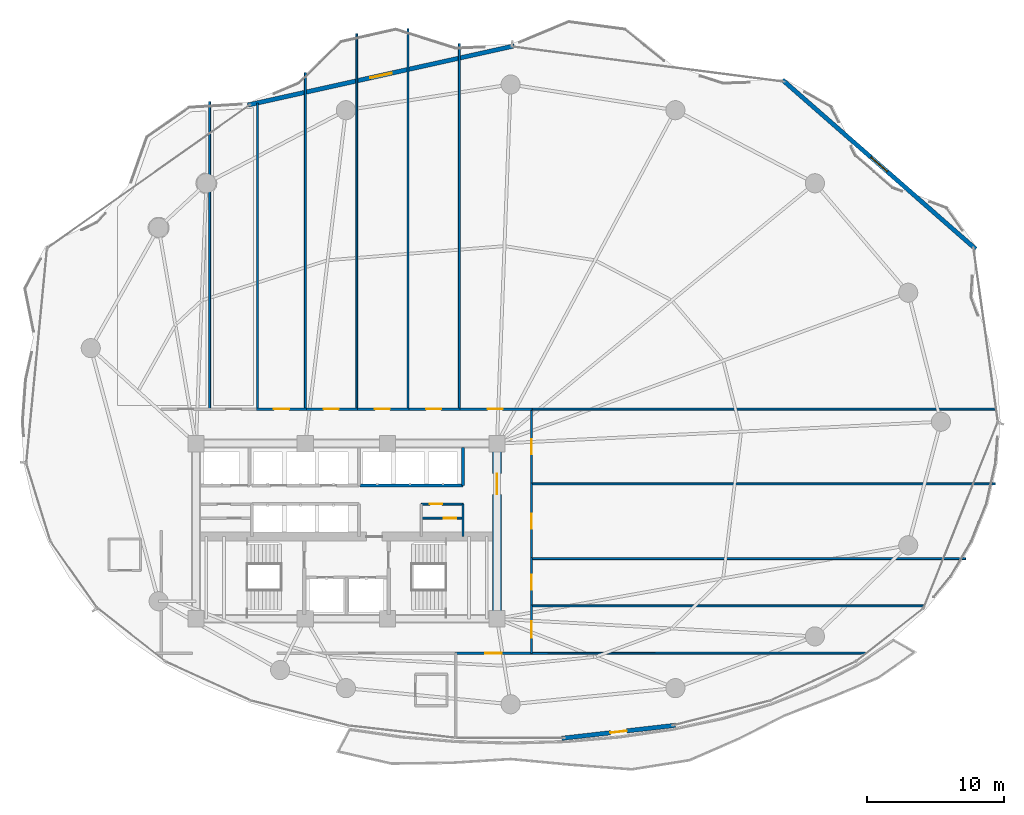
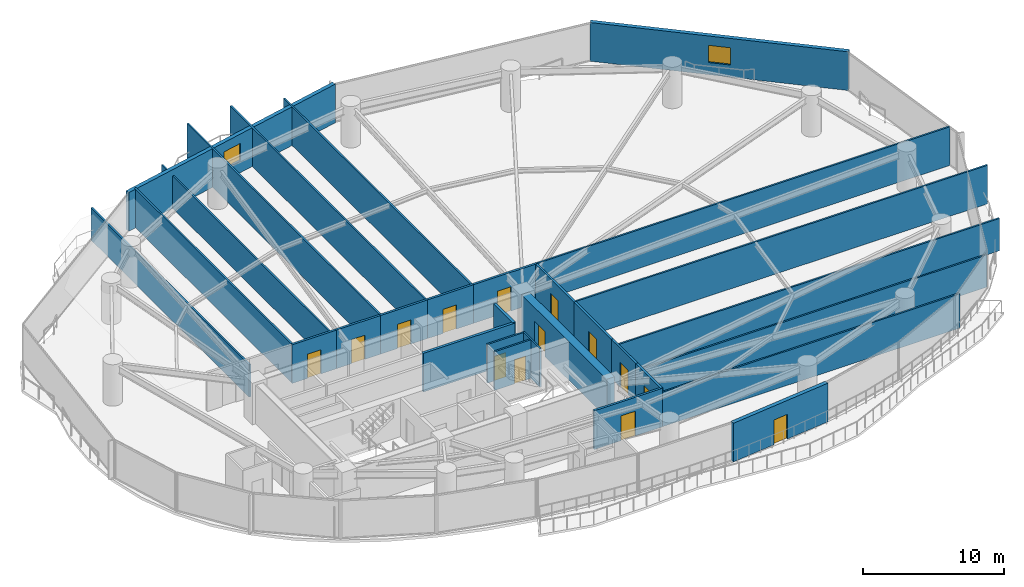
# One storey, part 26 of 31: 30 walls, 14 doors, 2 windows, 16 openings.
"""IFC4 building model written with IfcOpenShell, lengths in metres."""

from ifc_helpers import new_model, si_unit, direction, frame, frame_2d, origin, place, context, subcontext, project, spatial, rectangle, extrude, material, layer, layer_set, type_object, element, fill, save


model = new_model("IFC4")

# Units and contexts
model_context = context("Model", 3, precision=1e-05, world=origin(), true_north=direction((0.0, 1.0)))
body_context = subcontext(model_context, "Body", "Model", "MODEL_VIEW")
ifc_project = project(units=[si_unit("LENGTHUNIT", "METRE"), si_unit("AREAUNIT", "SQUARE_METRE"), si_unit("VOLUMEUNIT", "CUBIC_METRE"), si_unit("PLANEANGLEUNIT", "RADIAN"), si_unit("MASSUNIT", "GRAM", prefix="KILO")], contexts=[model_context])

# Site, building, storey
site_placement = place(None, origin())
site = spatial("IfcSite", under=ifc_project, at=site_placement, CompositionType="ELEMENT")
building_placement = place(site_placement, origin())
building = spatial("IfcBuilding", under=site, at=building_placement, Name="Kazevale Care Tower and Concert Hall", CompositionType="ELEMENT")
storey_placement = place(building_placement, frame((0.0, 0.0, 63.60009765625)))
storey = spatial("IfcBuildingStorey", under=building, at=storey_placement, Name="L16", CompositionType="ELEMENT", Elevation=63.60009765625)

# Wall
ifc_material_1 = material(Name="Acoustic Gypsum on Steel Stud", Category="steel")
ifc_layer_1 = layer(ifc_material_1, 0.139892578125)
ifc_layer_set_1 = layer_set([ifc_layer_1], Name="Acoustic Gypsum on Steel Stud")
wall_type_1 = type_object("IfcWallType", Name="Acoustic Care & Suite Partition 140", PredefinedType="PARTITIONING", material=ifc_layer_set_1)
wall_1_placement = place(storey_placement, frame((41.52001953125, 29.6201171875, 0.0), z_axis=(0.0, 0.0, 1.0), x_axis=(0.0, 1.0, 0.0)))
element("IfcWall", 1, at=wall_1_placement, inside=storey, type_object=wall_type_1, Name="wall:L16:kc_ee", PredefinedType="PARTITIONING", context=body_context, shape_type="SweptSolid", body=[
    extrude(rectangle(XDim=2.35986328125, YDim=0.139892578125, at=frame_2d((1.179931640625, 0.0))), origin(), (0.0, 0.0, 1.0), 3.35986328125),
])

# Wall, opening, door
wall_2_placement = place(storey_placement, frame((38.47998046875, 30.949951171875, 0.0), z_axis=(0.0, 0.0, 1.0), x_axis=(1.0, 0.0, 0.0)))
wall_2 = element("IfcWall", 2, at=wall_2_placement, inside=storey, type_object=wall_type_1, Name="wall:L16:kc_em", PredefinedType="PARTITIONING", context=body_context, shape_type="SweptSolid", body=[
    extrude(rectangle(XDim=3.0400390625, YDim=0.139892578125, at=frame_2d((1.52001953125, 0.0))), origin(), (0.0, 0.0, 1.0), 3.35986328125),
])
opening_1_placement = place(wall_2_placement, frame((1.616943359375, 0.0, 0.0)))
opening_1 = element("IfcOpeningElement", 3, at=opening_1_placement, cuts=wall_2, Name="Opening ID-900", PredefinedType="OPENING", context=body_context, shape_type="SweptSolid", body=[
    extrude(rectangle(XDim=0.919921875, YDim=2.10009765625, at=frame_2d((0.4599609375, 1.050048828125))), frame((0.0, 0.079833984375, 0.0), z_axis=(0.0, -1.0, 0.0), x_axis=(1.0, 0.0, 0.0)), (0.0, 0.0, 1.0), 0.159912109375),
])
ifc_material_2 = material(Name="Oak Timber Fire Leaf", Category="wood")
door_type_1 = type_object("IfcDoorType", Name="Bathroom & Service Door 920x2100", OperationType="NOTDEFINED", PredefinedType="DOOR", material=ifc_material_2)
door_1_placement = place(opening_1_placement, origin())
door_1 = element("IfcDoor", 4, at=door_1_placement, inside=storey, type_object=door_type_1, Name="door:L16:d_kceb", OperationType="SINGLE_SWING_RIGHT", OverallHeight=2.10009765625, OverallWidth=0.919921875, PredefinedType="DOOR", context=body_context, shape_type="SweptSolid", body=[
    extrude(rectangle(XDim=0.919921875, YDim=2.10009765625, at=frame_2d((0.4599609375, 1.050048828125))), frame((0.0, 0.02490234375, 0.0), z_axis=(0.0, -1.0, 0.0), x_axis=(1.0, 0.0, 0.0)), (0.0, 0.0, 1.0), 0.050048828125),
])
fill(opening_1, door_1)

wall_3_placement = place(storey_placement, frame((38.47998046875, 31.97998046875, 0.0), z_axis=(0.0, 0.0, 1.0), x_axis=(1.0, 0.0, 0.0)))
wall_3 = element("IfcWall", 5, at=wall_3_placement, inside=storey, type_object=wall_type_1, Name="wall:L16:kc_en", PredefinedType="PARTITIONING", context=body_context, shape_type="SweptSolid", body=[
    extrude(rectangle(XDim=3.0400390625, YDim=0.139892578125, at=frame_2d((1.52001953125, 0.0))), origin(), (0.0, 0.0, 1.0), 3.35986328125),
])
opening_2_placement = place(wall_3_placement, frame((0.614013671875, 0.0, 0.0)))
opening_2 = element("IfcOpeningElement", 6, at=opening_2_placement, cuts=wall_3, Name="Opening ID-900", PredefinedType="OPENING", context=body_context, shape_type="SweptSolid", body=[
    extrude(rectangle(XDim=0.919921875, YDim=2.10009765625, at=frame_2d((0.4599609375, 1.050048828125))), frame((0.0, 0.079833984375, 0.0), z_axis=(0.0, -1.0, 0.0), x_axis=(1.0, 0.0, 0.0)), (0.0, 0.0, 1.0), 0.159912109375),
])
door_2_placement = place(opening_2_placement, origin())
door_2 = element("IfcDoor", 7, at=door_2_placement, inside=storey, type_object=door_type_1, Name="door:L16:d_kcet", OperationType="SINGLE_SWING_LEFT", OverallHeight=2.10009765625, OverallWidth=0.919921875, PredefinedType="DOOR", context=body_context, shape_type="SweptSolid", body=[
    extrude(rectangle(XDim=0.919921875, YDim=2.10009765625, at=frame_2d((0.4599609375, 1.050048828125))), frame((0.0, 0.02490234375, 0.0), z_axis=(0.0, -1.0, 0.0), x_axis=(1.0, 0.0, 0.0)), (0.0, 0.0, 1.0), 0.050048828125),
])
fill(opening_2, door_2)

# Walls
wall_4_placement = place(storey_placement, frame((23.0, 61.39404296875, 0.0), z_axis=(0.0, 0.0, 1.0), x_axis=(0.0, -1.0, 0.0)))
element("IfcWall", 8, at=wall_4_placement, inside=storey, type_object=wall_type_1, Name="wall:L16:auto_016", PredefinedType="PARTITIONING", context=body_context, shape_type="SweptSolid", body=[
    extrude(rectangle(XDim=22.4990234375, YDim=0.139892578125, at=frame_2d((11.24951171875, 0.0))), origin(), (0.0, 0.0, 1.0), 2.805908203125),
])
wall_5_placement = place(storey_placement, frame((26.5, 61.2939453125, 0.0), z_axis=(0.0, 0.0, 1.0), x_axis=(0.0, -1.0, 0.0)))
element("IfcWall", 9, at=wall_5_placement, inside=storey, type_object=wall_type_1, Name="wall:L16:auto_017", PredefinedType="PARTITIONING", context=body_context, shape_type="SweptSolid", body=[
    extrude(rectangle(XDim=22.39892578125, YDim=0.139892578125, at=frame_2d((11.199462890625, 0.0))), origin(), (0.0, 0.0, 1.0), 3.35986328125),
])
wall_6_placement = place(storey_placement, frame((30.0, 63.52001953125, 0.0), z_axis=(0.0, 0.0, 1.0), x_axis=(0.0, -1.0, 0.0)))
element("IfcWall", 10, at=wall_6_placement, inside=storey, type_object=wall_type_1, Name="wall:L16:auto_018", PredefinedType="PARTITIONING", context=body_context, shape_type="SweptSolid", body=[
    extrude(rectangle(XDim=24.625, YDim=0.139892578125, at=frame_2d((12.3125, 0.0))), origin(), (0.0, 0.0, 1.0), 2.805908203125),
])
wall_7_placement = place(storey_placement, frame((33.75, 66.362060546875, 0.0), z_axis=(0.0, 0.0, 1.0), x_axis=(0.0, -1.0, 0.0)))
element("IfcWall", 11, at=wall_7_placement, inside=storey, type_object=wall_type_1, Name="wall:L16:auto_019", PredefinedType="PARTITIONING", context=body_context, shape_type="SweptSolid", body=[
    extrude(rectangle(XDim=27.467041015625, YDim=0.139892578125, at=frame_2d((13.7333984375, 0.0))), origin(), (0.0, 0.0, 1.0), 3.35986328125),
])
wall_8_placement = place(storey_placement, frame((37.5, 66.717041015625, 0.0), z_axis=(0.0, 0.0, 1.0), x_axis=(0.0, -1.0, 0.0)))
element("IfcWall", 12, at=wall_8_placement, inside=storey, type_object=wall_type_1, Name="wall:L16:auto_020", PredefinedType="PARTITIONING", context=body_context, shape_type="SweptSolid", body=[
    extrude(rectangle(XDim=27.822021484375, YDim=0.139892578125, at=frame_2d((13.9111328125, 0.0))), origin(), (0.0, 0.0, 1.0), 3.35986328125),
])
wall_9_placement = place(storey_placement, frame((41.25, 65.637939453125, 0.0), z_axis=(0.0, 0.0, 1.0), x_axis=(0.0, -1.0, 0.0)))
element("IfcWall", 13, at=wall_9_placement, inside=storey, type_object=wall_type_1, Name="wall:L16:auto_021", PredefinedType="PARTITIONING", context=body_context, shape_type="SweptSolid", body=[
    extrude(rectangle(XDim=26.742919921875, YDim=0.139892578125, at=frame_2d((13.37158203125, 0.0))), origin(), (0.0, 0.0, 1.0), 3.35986328125),
])
wall_10_placement = place(storey_placement, frame((80.480224609375, 38.925048828125, 0.0), z_axis=(0.0, 0.0, 1.0), x_axis=(-1.0, 0.0, 0.0)))
element("IfcWall", 14, at=wall_10_placement, inside=storey, type_object=wall_type_1, Name="wall:L16:auto_022", PredefinedType="PARTITIONING", context=body_context, shape_type="SweptSolid", body=[
    extrude(rectangle(XDim=34.020263671875, YDim=0.139892578125, at=frame_2d((17.01025390625, 0.0))), origin(), (0.0, 0.0, 1.0), 3.35986328125),
])
wall_11_placement = place(storey_placement, frame((46.4951171875, 24.5400390625, 0.0), z_axis=(0.0, 0.0, 1.0), x_axis=(1.0, 0.0, 0.0)))
element("IfcWall", 15, at=wall_11_placement, inside=storey, type_object=wall_type_1, Name="wall:L16:auto_023", PredefinedType="PARTITIONING", context=body_context, shape_type="SweptSolid", body=[
    extrude(rectangle(XDim=28.7470703125, YDim=0.139892578125, at=frame_2d((14.37353515625, 0.0))), origin(), (0.0, 0.0, 1.0), 2.805908203125),
])
wall_12_placement = place(storey_placement, frame((71.0107421875, 21.094482421875, 0.0), z_axis=(0.0, 0.0, 1.0), x_axis=(-0.999999682646, -0.000796685534, 0.0)))
element("IfcWall", 16, at=wall_12_placement, inside=storey, type_object=wall_type_1, Name="wall:L16:auto_024", PredefinedType="PARTITIONING", context=body_context, shape_type="SweptSolid", body=[
    extrude(rectangle(XDim=24.515625, YDim=0.139892578125, at=frame_2d((12.2578125, 0.0))), origin(), (0.0, 0.0, 1.0), 2.995849609375),
])
wall_13_placement = place(storey_placement, frame((46.4951171875, 28.0, 0.0), z_axis=(0.0, 0.0, 1.0), x_axis=(1.0, 0.0, 0.0)))
element("IfcWall", 17, at=wall_13_placement, inside=storey, type_object=wall_type_1, Name="wall:L16:auto_025", PredefinedType="PARTITIONING", context=body_context, shape_type="SweptSolid", body=[
    extrude(rectangle(XDim=31.766845703125, YDim=0.139892578125, at=frame_2d((15.88330078125, 0.0))), origin(), (0.0, 0.0, 1.0), 2.805908203125),
])
wall_14_placement = place(storey_placement, frame((46.4951171875, 33.4599609375, 0.0), z_axis=(0.0, 0.0, 1.0), x_axis=(1.0, 0.0, 0.0)))
element("IfcWall", 18, at=wall_14_placement, inside=storey, type_object=wall_type_1, Name="wall:L16:auto_026", PredefinedType="PARTITIONING", context=body_context, shape_type="SweptSolid", body=[
    extrude(rectangle(XDim=33.94091796875, YDim=0.139892578125, at=frame_2d((16.970458984375, 0.0))), origin(), (0.0, 0.0, 1.0), 3.35986328125),
])

# Wall, opening, door
ifc_material_3 = material(Name="Concrete C70", Category="concrete")
ifc_layer_2 = layer(ifc_material_3, 0.64990234375)
ifc_layer_set_2 = layer_set([ifc_layer_2], Name="Concrete C70")
wall_type_2 = type_object("IfcWallType", Name="Core Shear Wall 650 C70", PredefinedType="SHEAR", material=ifc_layer_set_2)
wall_15_placement = place(storey_placement, frame((44.0, 23.925048828125, 0.0), z_axis=(0.0, 0.0, 1.0), x_axis=(0.0, 1.0, 0.0)))
wall_15 = element("IfcWall", 19, at=wall_15_placement, inside=storey, type_object=wall_type_2, Name="wall:L16:core:E", PredefinedType="SHEAR", context=body_context, shape_type="SweptSolid", body=[
    extrude(rectangle(XDim=12.14990234375, YDim=0.64990234375, at=frame_2d((6.074951171875, 0.0))), origin(), (0.0, 0.0, 1.0), 3.35986328125),
])
opening_3_placement = place(wall_15_placement, frame((8.77490234375, 0.0, 0.0)))
opening_3 = element("IfcOpeningElement", 20, at=opening_3_placement, cuts=wall_15, Name="Opening FD-60D", PredefinedType="OPENING", context=body_context, shape_type="SweptSolid", body=[
    extrude(rectangle(XDim=1.5, YDim=2.14990234375, at=frame_2d((0.75, 1.074951171875))), frame((0.0, 0.3349609375, 0.0), z_axis=(0.0, -1.0, 0.0), x_axis=(1.0, 0.0, 0.0)), (0.0, 0.0, 1.0), 0.669921875),
])
door_type_2 = type_object("IfcDoorType", Name="Double Lobby & Auditorium Fire Door 1500x2150", OperationType="NOTDEFINED", PredefinedType="DOOR", material=ifc_material_2)
door_3_placement = place(opening_3_placement, origin())
door_3 = element("IfcDoor", 21, at=door_3_placement, inside=storey, type_object=door_type_2, Name="door:L16:core_east_out", OperationType="DOUBLE_DOOR_SINGLE_SWING", OverallHeight=2.14990234375, OverallWidth=1.5, PredefinedType="DOOR", context=body_context, shape_type="SweptSolid", body=[
    extrude(rectangle(XDim=1.5, YDim=2.14990234375, at=frame_2d((0.75, 1.074951171875))), frame((0.0, 0.02490234375, 0.0), z_axis=(0.0, -1.0, 0.0), x_axis=(1.0, 0.0, 0.0)), (0.0, 0.0, 1.0), 0.050048828125),
])
fill(opening_3, door_3)

# Walls
ifc_material_4 = material(Name="Concrete C40", Category="concrete")
ifc_layer_3 = layer(ifc_material_4, 0.219970703125)
ifc_layer_set_3 = layer_set([ifc_layer_3], Name="Concrete C40")
wall_type_3 = type_object("IfcWallType", Name="Elevator Hoistway Shaft Wall 220", PredefinedType="SOLIDWALL", material=ifc_layer_set_3)
wall_16_placement = place(storey_placement, frame((33.97998046875, 33.35009765625, 0.0), z_axis=(0.0, 0.0, 1.0), x_axis=(1.0, 0.0, 0.0)))
element("IfcWall", 22, at=wall_16_placement, inside=storey, type_object=wall_type_3, Name="wall:L16:c_pm_s", PredefinedType="SOLIDWALL", context=body_context, shape_type="SweptSolid", body=[
    extrude(rectangle(XDim=7.5400390625, YDim=0.219970703125, at=frame_2d((3.77001953125, 0.0))), origin(), (0.0, 0.0, 1.0), 3.35986328125),
])
wall_17_placement = place(storey_placement, frame((41.5, 33.35009765625, 0.0), z_axis=(0.0, 0.0, 1.0), x_axis=(0.0, 1.0, 0.0)))
element("IfcWall", 23, at=wall_17_placement, inside=storey, type_object=wall_type_3, Name="wall:L16:c_pm_e", PredefinedType="SOLIDWALL", context=body_context, shape_type="SweptSolid", body=[
    extrude(rectangle(XDim=2.75, YDim=0.219970703125, at=frame_2d((1.375, 0.0))), origin(), (0.0, 0.0, 1.0), 3.35986328125),
])

# Wall, opening, door
ifc_material_5 = material(Name="Concrete C40 and Acoustic Gypsum", Category="concrete")
ifc_layer_4 = layer(ifc_material_5, 0.179931640625)
ifc_layer_set_4 = layer_set([ifc_layer_4], Name="Concrete C40 and Acoustic Gypsum")
wall_type_4 = type_object("IfcWallType", Name="Fire-Rated Corridor & Party Wall 180", PredefinedType="PARTITIONING", material=ifc_layer_set_4)
wall_18_placement = place(storey_placement, frame((26.43505859375, 38.925048828125, 0.0), z_axis=(0.0, 0.0, 1.0), x_axis=(1.0, 0.0, 0.0)))
wall_18 = element("IfcWall", 24, at=wall_18_placement, inside=storey, type_object=wall_type_4, Name="wall:L16:auto_003", PredefinedType="PARTITIONING", context=body_context, shape_type="SweptSolid", body=[
    extrude(rectangle(XDim=3.6298828125, YDim=0.179931640625, at=frame_2d((1.81494140625, 0.0))), origin(), (0.0, 0.0, 1.0), 3.35986328125),
])
opening_4_placement = place(wall_18_placement, frame((1.264892578125, 0.0, 0.0)))
opening_4 = element("IfcOpeningElement", 25, at=opening_4_placement, cuts=wall_18, Name="Opening ID-1100", PredefinedType="OPENING", context=body_context, shape_type="SweptSolid", body=[
    extrude(rectangle(XDim=1.10009765625, YDim=2.10009765625, at=frame_2d((0.550048828125, 1.050048828125))), frame((0.0, 0.099853515625, 0.0), z_axis=(0.0, -1.0, 0.0), x_axis=(1.0, 0.0, 0.0)), (0.0, 0.0, 1.0), 0.199951171875),
])
door_type_3 = type_object("IfcDoorType", Name="Care Bedroom Accessible Door 1100x2100", OperationType="NOTDEFINED", PredefinedType="DOOR", material=ifc_material_2)
door_4_placement = place(opening_4_placement, origin())
door_4 = element("IfcDoor", 26, at=door_4_placement, inside=storey, type_object=door_type_3, Name="door:L16:ad_003", OperationType="SINGLE_SWING_LEFT", OverallHeight=2.10009765625, OverallWidth=1.10009765625, PredefinedType="DOOR", context=body_context, shape_type="SweptSolid", body=[
    extrude(rectangle(XDim=1.10009765625, YDim=2.10009765625, at=frame_2d((0.550048828125, 1.050048828125))), frame((0.0, 0.02490234375, 0.0), z_axis=(0.0, -1.0, 0.0), x_axis=(1.0, 0.0, 0.0)), (0.0, 0.0, 1.0), 0.050048828125),
])
fill(opening_4, door_4)

wall_19_placement = place(storey_placement, frame((29.93505859375, 38.925048828125, 0.0), z_axis=(0.0, 0.0, 1.0), x_axis=(1.0, 0.0, 0.0)))
wall_19 = element("IfcWall", 27, at=wall_19_placement, inside=storey, type_object=wall_type_4, Name="wall:L16:auto_004", PredefinedType="PARTITIONING", context=body_context, shape_type="SweptSolid", body=[
    extrude(rectangle(XDim=3.8798828125, YDim=0.179931640625, at=frame_2d((1.93994140625, 0.0))), origin(), (0.0, 0.0, 1.0), 3.35986328125),
])
opening_5_placement = place(wall_19_placement, frame((1.389892578125, 0.0, 0.0)))
opening_5 = element("IfcOpeningElement", 28, at=opening_5_placement, cuts=wall_19, Name="Opening ID-1100", PredefinedType="OPENING", context=body_context, shape_type="SweptSolid", body=[
    extrude(rectangle(XDim=1.10009765625, YDim=2.10009765625, at=frame_2d((0.550048828125, 1.050048828125))), frame((0.0, 0.099853515625, 0.0), z_axis=(0.0, -1.0, 0.0), x_axis=(1.0, 0.0, 0.0)), (0.0, 0.0, 1.0), 0.199951171875),
])
door_5_placement = place(opening_5_placement, origin())
door_5 = element("IfcDoor", 29, at=door_5_placement, inside=storey, type_object=door_type_3, Name="door:L16:ad_004", OperationType="SINGLE_SWING_LEFT", OverallHeight=2.10009765625, OverallWidth=1.10009765625, PredefinedType="DOOR", context=body_context, shape_type="SweptSolid", body=[
    extrude(rectangle(XDim=1.10009765625, YDim=2.10009765625, at=frame_2d((0.550048828125, 1.050048828125))), frame((0.0, 0.02490234375, 0.0), z_axis=(0.0, -1.0, 0.0), x_axis=(1.0, 0.0, 0.0)), (0.0, 0.0, 1.0), 0.050048828125),
])
fill(opening_5, door_5)

wall_20_placement = place(storey_placement, frame((33.68505859375, 38.925048828125, 0.0), z_axis=(0.0, 0.0, 1.0), x_axis=(1.0, 0.0, 0.0)))
wall_20 = element("IfcWall", 30, at=wall_20_placement, inside=storey, type_object=wall_type_4, Name="wall:L16:auto_005", PredefinedType="PARTITIONING", context=body_context, shape_type="SweptSolid", body=[
    extrude(rectangle(XDim=3.8798828125, YDim=0.179931640625, at=frame_2d((1.93994140625, 0.0))), origin(), (0.0, 0.0, 1.0), 3.35986328125),
])
opening_6_placement = place(wall_20_placement, frame((1.389892578125, 0.0, 0.0)))
opening_6 = element("IfcOpeningElement", 31, at=opening_6_placement, cuts=wall_20, Name="Opening ID-1100", PredefinedType="OPENING", context=body_context, shape_type="SweptSolid", body=[
    extrude(rectangle(XDim=1.10009765625, YDim=2.10009765625, at=frame_2d((0.550048828125, 1.050048828125))), frame((0.0, 0.099853515625, 0.0), z_axis=(0.0, -1.0, 0.0), x_axis=(1.0, 0.0, 0.0)), (0.0, 0.0, 1.0), 0.199951171875),
])
door_6_placement = place(opening_6_placement, origin())
door_6 = element("IfcDoor", 32, at=door_6_placement, inside=storey, type_object=door_type_3, Name="door:L16:ad_005", OperationType="SINGLE_SWING_LEFT", OverallHeight=2.10009765625, OverallWidth=1.10009765625, PredefinedType="DOOR", context=body_context, shape_type="SweptSolid", body=[
    extrude(rectangle(XDim=1.10009765625, YDim=2.10009765625, at=frame_2d((0.550048828125, 1.050048828125))), frame((0.0, 0.02490234375, 0.0), z_axis=(0.0, -1.0, 0.0), x_axis=(1.0, 0.0, 0.0)), (0.0, 0.0, 1.0), 0.050048828125),
])
fill(opening_6, door_6)

wall_21_placement = place(storey_placement, frame((37.43505859375, 38.925048828125, 0.0), z_axis=(0.0, 0.0, 1.0), x_axis=(1.0, 0.0, 0.0)))
wall_21 = element("IfcWall", 33, at=wall_21_placement, inside=storey, type_object=wall_type_4, Name="wall:L16:auto_006", PredefinedType="PARTITIONING", context=body_context, shape_type="SweptSolid", body=[
    extrude(rectangle(XDim=3.8798828125, YDim=0.179931640625, at=frame_2d((1.93994140625, 0.0))), origin(), (0.0, 0.0, 1.0), 3.35986328125),
])
opening_7_placement = place(wall_21_placement, frame((1.389892578125, 0.0, 0.0)))
opening_7 = element("IfcOpeningElement", 34, at=opening_7_placement, cuts=wall_21, Name="Opening ID-1100", PredefinedType="OPENING", context=body_context, shape_type="SweptSolid", body=[
    extrude(rectangle(XDim=1.10009765625, YDim=2.10009765625, at=frame_2d((0.550048828125, 1.050048828125))), frame((0.0, 0.099853515625, 0.0), z_axis=(0.0, -1.0, 0.0), x_axis=(1.0, 0.0, 0.0)), (0.0, 0.0, 1.0), 0.199951171875),
])
door_7_placement = place(opening_7_placement, origin())
door_7 = element("IfcDoor", 35, at=door_7_placement, inside=storey, type_object=door_type_3, Name="door:L16:ad_006", OperationType="SINGLE_SWING_LEFT", OverallHeight=2.10009765625, OverallWidth=1.10009765625, PredefinedType="DOOR", context=body_context, shape_type="SweptSolid", body=[
    extrude(rectangle(XDim=1.10009765625, YDim=2.10009765625, at=frame_2d((0.550048828125, 1.050048828125))), frame((0.0, 0.02490234375, 0.0), z_axis=(0.0, -1.0, 0.0), x_axis=(1.0, 0.0, 0.0)), (0.0, 0.0, 1.0), 0.050048828125),
])
fill(opening_7, door_7)

wall_22_placement = place(storey_placement, frame((41.18505859375, 38.925048828125, 0.0), z_axis=(0.0, 0.0, 1.0), x_axis=(1.0, 0.0, 0.0)))
wall_22 = element("IfcWall", 36, at=wall_22_placement, inside=storey, type_object=wall_type_4, Name="wall:L16:auto_007", PredefinedType="PARTITIONING", context=body_context, shape_type="SweptSolid", body=[
    extrude(rectangle(XDim=5.369873046875, YDim=0.179931640625, at=frame_2d((2.68505859375, 0.0))), origin(), (0.0, 0.0, 1.0), 3.35986328125),
])
opening_8_placement = place(wall_22_placement, frame((2.135009765625, 0.0, 0.0)))
opening_8 = element("IfcOpeningElement", 37, at=opening_8_placement, cuts=wall_22, Name="Opening ID-1100", PredefinedType="OPENING", context=body_context, shape_type="SweptSolid", body=[
    extrude(rectangle(XDim=1.10009765625, YDim=2.10009765625, at=frame_2d((0.550048828125, 1.050048828125))), frame((0.0, 0.099853515625, 0.0), z_axis=(0.0, -1.0, 0.0), x_axis=(1.0, 0.0, 0.0)), (0.0, 0.0, 1.0), 0.199951171875),
])
door_8_placement = place(opening_8_placement, origin())
door_8 = element("IfcDoor", 38, at=door_8_placement, inside=storey, type_object=door_type_3, Name="door:L16:ad_007", OperationType="SINGLE_SWING_LEFT", OverallHeight=2.10009765625, OverallWidth=1.10009765625, PredefinedType="DOOR", context=body_context, shape_type="SweptSolid", body=[
    extrude(rectangle(XDim=1.10009765625, YDim=2.10009765625, at=frame_2d((0.550048828125, 1.050048828125))), frame((0.0, 0.02490234375, 0.0), z_axis=(0.0, -1.0, 0.0), x_axis=(1.0, 0.0, 0.0)), (0.0, 0.0, 1.0), 0.050048828125),
])
fill(opening_8, door_8)

wall_23_placement = place(storey_placement, frame((46.52490234375, 24.60498046875, 0.0), z_axis=(0.0, 0.0, 1.0), x_axis=(0.0, -1.0, 0.0)))
wall_23 = element("IfcWall", 39, at=wall_23_placement, inside=storey, type_object=wall_type_4, Name="wall:L16:auto_008", PredefinedType="PARTITIONING", context=body_context, shape_type="SweptSolid", body=[
    extrude(rectangle(XDim=3.56005859375, YDim=0.179931640625, at=frame_2d((1.780029296875, 0.0))), origin(), (0.0, 0.0, 1.0), 3.35986328125),
])
opening_9_placement = place(wall_23_placement, frame((1.179931640625, 0.0, 0.0)))
opening_9 = element("IfcOpeningElement", 40, at=opening_9_placement, cuts=wall_23, Name="Opening ID-1200", PredefinedType="OPENING", context=body_context, shape_type="SweptSolid", body=[
    extrude(rectangle(XDim=1.199951171875, YDim=2.14990234375, at=frame_2d((0.60009765625, 1.074951171875))), frame((0.0, 0.099853515625, 0.0), z_axis=(0.0, -1.0, 0.0), x_axis=(1.0, 0.0, 0.0)), (0.0, 0.0, 1.0), 0.199951171875),
])
door_type_4 = type_object("IfcDoorType", Name="Clinical & Therapy Door 1200x2150", OperationType="NOTDEFINED", PredefinedType="DOOR", material=ifc_material_2)
door_9_placement = place(opening_9_placement, origin())
door_9 = element("IfcDoor", 41, at=door_9_placement, inside=storey, type_object=door_type_4, Name="door:L16:ad_008", OperationType="SINGLE_SWING_LEFT", OverallHeight=2.14990234375, OverallWidth=1.199951171875, PredefinedType="DOOR", context=body_context, shape_type="SweptSolid", body=[
    extrude(rectangle(XDim=1.199951171875, YDim=2.14990234375, at=frame_2d((0.60009765625, 1.074951171875))), frame((0.0, 0.02490234375, 0.0), z_axis=(0.0, -1.0, 0.0), x_axis=(1.0, 0.0, 0.0)), (0.0, 0.0, 1.0), 0.050048828125),
])
fill(opening_9, door_9)

wall_24_placement = place(storey_placement, frame((46.52490234375, 28.06494140625, 0.0), z_axis=(0.0, 0.0, 1.0), x_axis=(0.0, -1.0, 0.0)))
wall_24 = element("IfcWall", 42, at=wall_24_placement, inside=storey, type_object=wall_type_4, Name="wall:L16:auto_009", PredefinedType="PARTITIONING", context=body_context, shape_type="SweptSolid", body=[
    extrude(rectangle(XDim=3.58984375, YDim=0.179931640625, at=frame_2d((1.794921875, 0.0))), origin(), (0.0, 0.0, 1.0), 3.35986328125),
])
opening_10_placement = place(wall_24_placement, frame((1.2451171875, 0.0, 0.0)))
opening_10 = element("IfcOpeningElement", 43, at=opening_10_placement, cuts=wall_24, Name="Opening ID-1100", PredefinedType="OPENING", context=body_context, shape_type="SweptSolid", body=[
    extrude(rectangle(XDim=1.10009765625, YDim=2.10009765625, at=frame_2d((0.550048828125, 1.050048828125))), frame((0.0, 0.099853515625, 0.0), z_axis=(0.0, -1.0, 0.0), x_axis=(1.0, 0.0, 0.0)), (0.0, 0.0, 1.0), 0.199951171875),
])
door_10_placement = place(opening_10_placement, origin())
door_10 = element("IfcDoor", 44, at=door_10_placement, inside=storey, type_object=door_type_3, Name="door:L16:ad_009", OperationType="SINGLE_SWING_LEFT", OverallHeight=2.10009765625, OverallWidth=1.10009765625, PredefinedType="DOOR", context=body_context, shape_type="SweptSolid", body=[
    extrude(rectangle(XDim=1.10009765625, YDim=2.10009765625, at=frame_2d((0.550048828125, 1.050048828125))), frame((0.0, 0.02490234375, 0.0), z_axis=(0.0, -1.0, 0.0), x_axis=(1.0, 0.0, 0.0)), (0.0, 0.0, 1.0), 0.050048828125),
])
fill(opening_10, door_10)

wall_25_placement = place(storey_placement, frame((46.52490234375, 33.52490234375, 0.0), z_axis=(0.0, 0.0, 1.0), x_axis=(0.0, -1.0, 0.0)))
wall_25 = element("IfcWall", 45, at=wall_25_placement, inside=storey, type_object=wall_type_4, Name="wall:L16:auto_010", PredefinedType="PARTITIONING", context=body_context, shape_type="SweptSolid", body=[
    extrude(rectangle(XDim=5.58984375, YDim=0.179931640625, at=frame_2d((2.794921875, 0.0))), origin(), (0.0, 0.0, 1.0), 3.35986328125),
])
opening_11_placement = place(wall_25_placement, frame((2.2451171875, 0.0, 0.0)))
opening_11 = element("IfcOpeningElement", 46, at=opening_11_placement, cuts=wall_25, Name="Opening ID-1100", PredefinedType="OPENING", context=body_context, shape_type="SweptSolid", body=[
    extrude(rectangle(XDim=1.10009765625, YDim=2.10009765625, at=frame_2d((0.550048828125, 1.050048828125))), frame((0.0, 0.099853515625, 0.0), z_axis=(0.0, -1.0, 0.0), x_axis=(1.0, 0.0, 0.0)), (0.0, 0.0, 1.0), 0.199951171875),
])
door_11_placement = place(opening_11_placement, origin())
door_11 = element("IfcDoor", 47, at=door_11_placement, inside=storey, type_object=door_type_3, Name="door:L16:ad_010", OperationType="SINGLE_SWING_LEFT", OverallHeight=2.10009765625, OverallWidth=1.10009765625, PredefinedType="DOOR", context=body_context, shape_type="SweptSolid", body=[
    extrude(rectangle(XDim=1.10009765625, YDim=2.10009765625, at=frame_2d((0.550048828125, 1.050048828125))), frame((0.0, 0.02490234375, 0.0), z_axis=(0.0, -1.0, 0.0), x_axis=(1.0, 0.0, 0.0)), (0.0, 0.0, 1.0), 0.050048828125),
])
fill(opening_11, door_11)

wall_26_placement = place(storey_placement, frame((46.52490234375, 38.955078125, 0.0), z_axis=(0.0, 0.0, 1.0), x_axis=(0.0, -1.0, 0.0)))
wall_26 = element("IfcWall", 48, at=wall_26_placement, inside=storey, type_object=wall_type_4, Name="wall:L16:auto_011", PredefinedType="PARTITIONING", context=body_context, shape_type="SweptSolid", body=[
    extrude(rectangle(XDim=5.56005859375, YDim=0.179931640625, at=frame_2d((2.780029296875, 0.0))), origin(), (0.0, 0.0, 1.0), 3.35986328125),
])
opening_12_placement = place(wall_26_placement, frame((2.22998046875, 0.0, 0.0)))
opening_12 = element("IfcOpeningElement", 49, at=opening_12_placement, cuts=wall_26, Name="Opening ID-1100", PredefinedType="OPENING", context=body_context, shape_type="SweptSolid", body=[
    extrude(rectangle(XDim=1.10009765625, YDim=2.10009765625, at=frame_2d((0.550048828125, 1.050048828125))), frame((0.0, 0.099853515625, 0.0), z_axis=(0.0, -1.0, 0.0), x_axis=(1.0, 0.0, 0.0)), (0.0, 0.0, 1.0), 0.199951171875),
])
door_12_placement = place(opening_12_placement, origin())
door_12 = element("IfcDoor", 50, at=door_12_placement, inside=storey, type_object=door_type_3, Name="door:L16:ad_011", OperationType="SINGLE_SWING_LEFT", OverallHeight=2.10009765625, OverallWidth=1.10009765625, PredefinedType="DOOR", context=body_context, shape_type="SweptSolid", body=[
    extrude(rectangle(XDim=1.10009765625, YDim=2.10009765625, at=frame_2d((0.550048828125, 1.050048828125))), frame((0.0, 0.02490234375, 0.0), z_axis=(0.0, -1.0, 0.0), x_axis=(1.0, 0.0, 0.0)), (0.0, 0.0, 1.0), 0.050048828125),
])
fill(opening_12, door_12)

wall_27_placement = place(storey_placement, frame((46.554931640625, 21.074951171875, 0.0), z_axis=(0.0, 0.0, 1.0), x_axis=(-1.0, 0.0, 0.0)))
wall_27 = element("IfcWall", 51, at=wall_27_placement, inside=storey, type_object=wall_type_4, Name="wall:L16:auto_013", PredefinedType="PARTITIONING", context=body_context, shape_type="SweptSolid", body=[
    extrude(rectangle(XDim=5.619873046875, YDim=0.179931640625, at=frame_2d((2.81005859375, 0.0))), origin(), (0.0, 0.0, 1.0), 3.35986328125),
])
opening_13_placement = place(wall_27_placement, frame((2.2099609375, 0.0, 0.0)))
opening_13 = element("IfcOpeningElement", 52, at=opening_13_placement, cuts=wall_27, Name="Opening ID-1200", PredefinedType="OPENING", context=body_context, shape_type="SweptSolid", body=[
    extrude(rectangle(XDim=1.199951171875, YDim=2.14990234375, at=frame_2d((0.60009765625, 1.074951171875))), frame((0.0, 0.099853515625, 0.0), z_axis=(0.0, -1.0, 0.0), x_axis=(1.0, 0.0, 0.0)), (0.0, 0.0, 1.0), 0.199951171875),
])
door_13_placement = place(opening_13_placement, origin())
door_13 = element("IfcDoor", 53, at=door_13_placement, inside=storey, type_object=door_type_4, Name="door:L16:ad_013", OperationType="SINGLE_SWING_LEFT", OverallHeight=2.14990234375, OverallWidth=1.199951171875, PredefinedType="DOOR", context=body_context, shape_type="SweptSolid", body=[
    extrude(rectangle(XDim=1.199951171875, YDim=2.14990234375, at=frame_2d((0.60009765625, 1.074951171875))), frame((0.0, 0.02490234375, 0.0), z_axis=(0.0, -1.0, 0.0), x_axis=(1.0, 0.0, 0.0)), (0.0, 0.0, 1.0), 0.050048828125),
])
fill(opening_13, door_13)

ifc_material_6 = material(Name="Concrete C40 with Honed Limestone Cladding", Category="masonry")
ifc_layer_5 = layer(ifc_material_6, 0.320068359375)
ifc_layer_set_5 = layer_set([ifc_layer_5], Name="Concrete C40 with Honed Limestone Cladding")
wall_type_5 = type_object("IfcWallType", Name="Tower Honed Limestone Spandrel Wall 320", PredefinedType="STANDARD", material=ifc_layer_set_5)
wall_28_placement = place(storey_placement, frame((57.050048828125, 15.81201171875, 0.0), z_axis=(0.0, 0.0, 1.0), x_axis=(-0.993503192468, -0.113804246649, 0.0)))
wall_28 = element("IfcWall", 54, at=wall_28_placement, inside=storey, type_object=wall_type_5, Name="wall:L16:bal_host", PredefinedType="STANDARD", context=body_context, shape_type="SweptSolid", body=[
    extrude(rectangle(XDim=8.364501953125, YDim=0.320068359375, at=frame_2d((4.18212890625, 0.0))), origin(), (0.0, 0.0, 1.0), 3.35986328125),
])
opening_14_placement = place(wall_28_placement, frame((3.58203125, 0.0, 0.0)))
opening_14 = element("IfcOpeningElement", 55, at=opening_14_placement, cuts=wall_28, Name="Opening BD-1200", PredefinedType="OPENING", context=body_context, shape_type="SweptSolid", body=[
    extrude(rectangle(XDim=1.199951171875, YDim=2.14990234375, at=frame_2d((0.60009765625, 1.074951171875))), frame((0.0, 0.169921875, 0.0), z_axis=(0.0, -1.0, 0.0), x_axis=(1.0, 0.0, 0.0)), (0.0, 0.0, 1.0), 0.340087890625),
])
ifc_material_7 = material(Name="Aluminium 6063-T6 and Low-E Glass", Category="aluminium")
door_type_5 = type_object("IfcDoorType", Name="Sheltered Balcony Glazed Door 1200x2150", OperationType="NOTDEFINED", PredefinedType="DOOR", material=ifc_material_7)
door_14_placement = place(opening_14_placement, origin())
door_14 = element("IfcDoor", 56, at=door_14_placement, inside=storey, type_object=door_type_5, Name="door:L16:BD-1", OperationType="SINGLE_SWING_LEFT", OverallHeight=2.14990234375, OverallWidth=1.199951171875, PredefinedType="DOOR", context=body_context, shape_type="SweptSolid", body=[
    extrude(rectangle(XDim=1.199951171875, YDim=2.14990234375, at=frame_2d((0.60009765625, 1.074951171875))), frame((0.0, 0.02490234375, 0.0), z_axis=(0.0, -1.0, 0.0), x_axis=(1.0, 0.0, 0.0)), (0.0, 0.0, 1.0), 0.050048828125),
])
fill(opening_14, door_14)

# Wall, opening, window
wall_29_placement = place(storey_placement, frame((25.780029296875, 61.14404296875, 0.0), z_axis=(0.0, 0.0, 1.0), x_axis=(0.976206349039, 0.216843639742, 0.0)))
wall_29 = element("IfcWall", 57, at=wall_29_placement, inside=storey, type_object=wall_type_5, Name="wall:L16:cbox:15", PredefinedType="STANDARD", context=body_context, shape_type="SweptSolid", body=[
    extrude(rectangle(XDim=19.949462890625, YDim=0.320068359375, at=frame_2d((9.974609375, 0.0))), origin(), (0.0, 0.0, 1.0), 3.35986328125),
])
opening_15_placement = place(wall_29_placement, frame((9.175048828125, 0.0, 1.050048828125)))
opening_15 = element("IfcOpeningElement", 58, at=opening_15_placement, cuts=wall_29, Name="Opening WIN-1", PredefinedType="OPENING", context=body_context, shape_type="SweptSolid", body=[
    extrude(rectangle(XDim=1.60009765625, YDim=1.5, at=frame_2d((0.800048828125, 0.75))), frame((0.0, 0.169921875, 0.0), z_axis=(0.0, -1.0, 0.0), x_axis=(1.0, 0.0, 0.0)), (0.0, 0.0, 1.0), 0.340087890625),
])
ifc_material_8 = material(Name="Low-E Laminated Glass", Category="glass")
window_type = type_object("IfcWindowType", Name="Convex Box Deep-Set Window 1600x1500", PartitioningType="DOUBLE_PANEL_VERTICAL", PredefinedType="WINDOW", material=ifc_material_8)
window_1_placement = place(opening_15_placement, origin())
window_1 = element("IfcWindow", 59, at=window_1_placement, inside=storey, type_object=window_type, Name="win:L16:cbox:15", OverallHeight=1.5, OverallWidth=1.60009765625, PartitioningType="SINGLE_PANEL", PredefinedType="WINDOW", context=body_context, shape_type="SweptSolid", body=[
    extrude(rectangle(XDim=1.60009765625, YDim=1.5, at=frame_2d((0.800048828125, 0.75))), frame((0.0, 0.030029296875, 0.0), z_axis=(0.0, -1.0, 0.0), x_axis=(1.0, 0.0, 0.0)), (0.0, 0.0, 1.0), 0.06005859375),
])
fill(opening_15, window_1)

wall_30_placement = place(storey_placement, frame((64.8740234375, 62.98388671875, 0.0), z_axis=(0.0, 0.0, 1.0), x_axis=(0.752445311183, -0.658654730249, 0.0)))
wall_30 = element("IfcWall", 60, at=wall_30_placement, inside=storey, type_object=wall_type_5, Name="wall:L16:cbox:17", PredefinedType="STANDARD", context=body_context, shape_type="SweptSolid", body=[
    extrude(rectangle(XDim=18.765380859375, YDim=0.320068359375, at=frame_2d((9.3828125, 0.0))), origin(), (0.0, 0.0, 1.0), 3.35986328125),
])
opening_16_placement = place(wall_30_placement, frame((8.58203125, 0.0, 1.050048828125)))
opening_16 = element("IfcOpeningElement", 61, at=opening_16_placement, cuts=wall_30, Name="Opening WIN-1", PredefinedType="OPENING", context=body_context, shape_type="SweptSolid", body=[
    extrude(rectangle(XDim=1.60009765625, YDim=1.5, at=frame_2d((0.800048828125, 0.75))), frame((0.0, 0.169921875, 0.0), z_axis=(0.0, -1.0, 0.0), x_axis=(1.0, 0.0, 0.0)), (0.0, 0.0, 1.0), 0.340087890625),
])
window_2_placement = place(opening_16_placement, origin())
window_2 = element("IfcWindow", 62, at=window_2_placement, inside=storey, type_object=window_type, Name="win:L16:cbox:17", OverallHeight=1.5, OverallWidth=1.60009765625, PartitioningType="SINGLE_PANEL", PredefinedType="WINDOW", context=body_context, shape_type="SweptSolid", body=[
    extrude(rectangle(XDim=1.60009765625, YDim=1.5, at=frame_2d((0.800048828125, 0.75))), frame((0.0, 0.030029296875, 0.0), z_axis=(0.0, -1.0, 0.0), x_axis=(1.0, 0.0, 0.0)), (0.0, 0.0, 1.0), 0.06005859375),
])
fill(opening_16, window_2)

save(model, "model.ifc")
